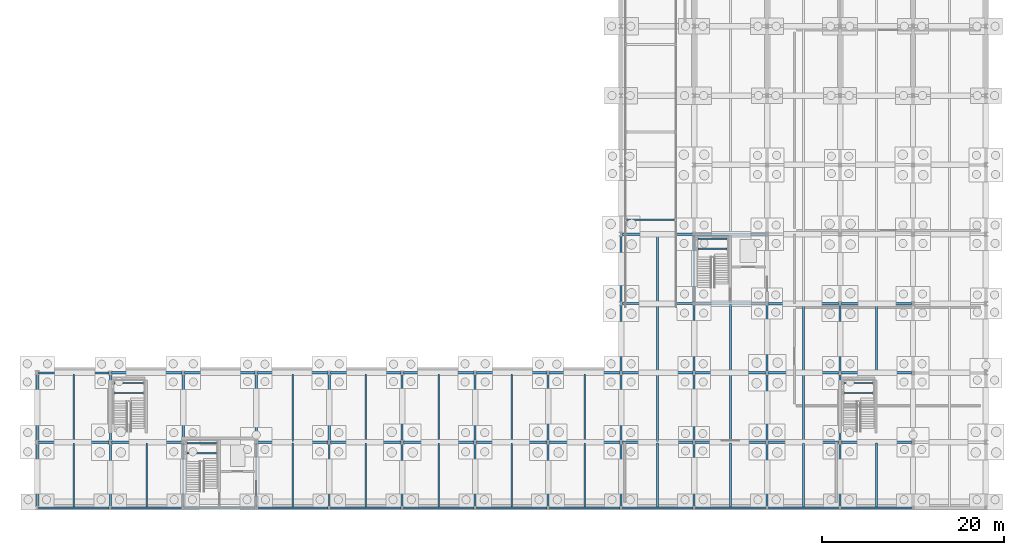
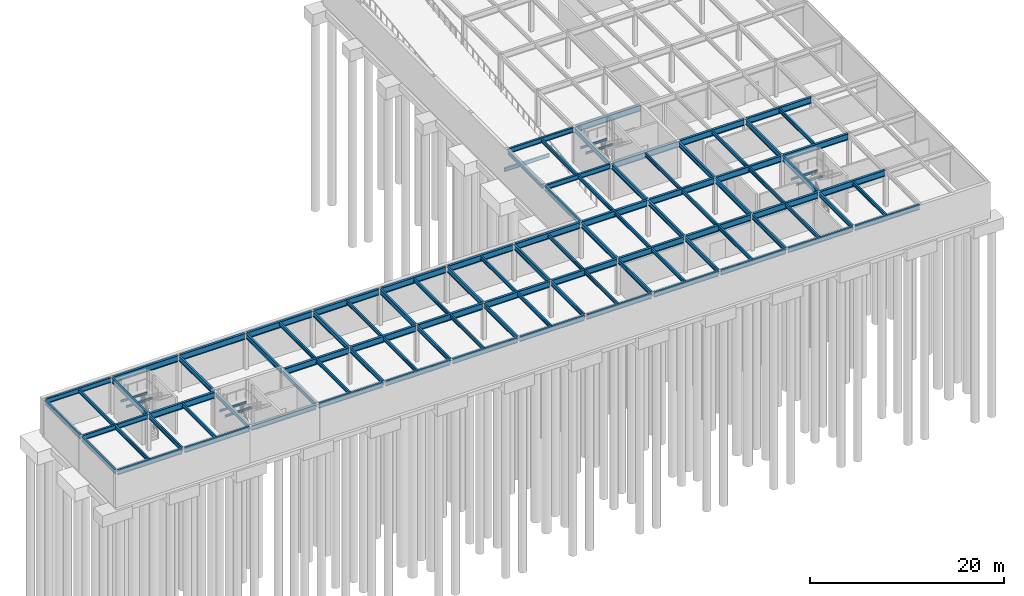
# One storey, part 12 of 21: 105 beams.
"""IFC4 building model written with IfcOpenShell, lengths in metres."""

from ifc_helpers import new_model, si_unit, direction, frame, origin, origin_2d, place, context, subcontext, project, spatial, i_section, extrude, material, material_profile, profile_set, type_object, element, save


model = new_model("IFC4")

# Units and contexts
model_context = context("Model", 3, precision=1e-05, world=origin(), true_north=direction((0.0, 1.0)))
body_context = subcontext(model_context, "Body", "Model", "MODEL_VIEW")
ifc_project = project(units=[si_unit("LENGTHUNIT", "METRE"), si_unit("AREAUNIT", "SQUARE_METRE"), si_unit("VOLUMEUNIT", "CUBIC_METRE"), si_unit("PLANEANGLEUNIT", "RADIAN"), si_unit("MASSUNIT", "GRAM", prefix="KILO")], contexts=[model_context])

# Site, building, storey
site_placement = place(None, origin())
site = spatial("IfcSite", under=ifc_project, at=site_placement, CompositionType="ELEMENT")
building_placement = place(site_placement, origin())
building = spatial("IfcBuilding", under=site, at=building_placement, Name="Zulena Civic Courthouse", CompositionType="ELEMENT")
storey_placement = place(building_placement, frame((0.0, 0.0, -4.800048828125)))
storey = spatial("IfcBuildingStorey", under=building, at=storey_placement, Name="B01", CompositionType="ELEMENT", Elevation=-4.800048828125)

# Beams
ifc_material = material(Name="Steel ASTM A992 Grade 50", Category="steel")
ifc_material_profile_1 = material_profile(ifc_material, i_section(OverallWidth=0.22998046875, OverallDepth=0.616943359375, WebThickness=0.01318359375, FlangeThickness=0.022216796875, FilletRadius=0.0126953125, at=origin_2d()), Name="W24X94")
ifc_profile_set_1 = profile_set([ifc_material_profile_1], Name="Steel ASTM A992 Grade 50")
beam_type_1 = type_object("IfcBeamType", Name="Girder_W24X94", PredefinedType="BEAM", material=ifc_profile_set_1)
for number, where, z_axis, x_axis, name in (
    (1, (12.0, 53.344970703125, 4.271484375), (0.0, 1.0, 0.0), (-1.0, 0.0, 0.0), "beam:Y:V5:B01:12.0:53.2_60.8"),
    (2, (20.0, 53.344970703125, 4.271484375), (0.0, 1.0, 0.0), (-1.0, 0.0, 0.0), "beam:Y:V5:B01:20.0:53.2_60.8"),
    (3, (28.0, 53.344970703125, 4.271484375), (0.0, 1.0, 0.0), (-1.0, 0.0, 0.0), "beam:Y:V5:B01:28.0:53.2_60.8"),
    (4, (36.0, 53.344970703125, 4.271484375), (0.0, 1.0, 0.0), (-1.0, 0.0, 0.0), "beam:Y:V5:B01:36.0:53.2_60.8"),
    (5, (44.0, 53.344970703125, 4.271484375), (0.0, 1.0, 0.0), (-1.0, 0.0, 0.0), "beam:Y:V5:B01:44.0:53.2_60.8"),
    (6, (52.0, 53.344970703125, 4.271484375), (0.0, 1.0, 0.0), (-1.0, 0.0, 0.0), "beam:Y:V5:B01:52.0:53.2_60.8"),
    (7, (60.0, 53.344970703125, 4.271484375), (0.0, 1.0, 0.0), (-1.0, 0.0, 0.0), "beam:Y:V5:B01:60.0:53.2_60.8"),
    (8, (68.0, 53.344970703125, 4.271484375), (0.0, 1.0, 0.0), (-1.0, 0.0, 0.0), "beam:Y:V5:B01:68.0:53.2_60.8"),
    (9, (76.0, 53.344970703125, 4.271484375), (0.0, 1.0, 0.0), (-1.0, 0.0, 0.0), "beam:Y:V5:B01:76.0:53.2_60.8"),
):
    element("IfcBeam", number, at=place(storey_placement, frame(where, z_axis=z_axis, x_axis=x_axis)), inside=storey, type_object=beam_type_1, Name=name, PredefinedType="BEAM", context=body_context, shape_type="SweptSolid", body=[
        extrude(i_section(OverallWidth=0.22998046875, OverallDepth=0.616943359375, WebThickness=0.01318359375, FlangeThickness=0.022216796875, FilletRadius=0.0126953125, at=origin_2d()), origin(), (0.0, 0.0, 1.0), 7.31005859375),
    ])
beam_1_placement = place(storey_placement, frame((76.0, 60.945068359375, 4.271484375), z_axis=(0.0, 1.0, 0.0), x_axis=(-1.0, 0.0, 0.0)))
element("IfcBeam", 10, at=beam_1_placement, inside=storey, type_object=beam_type_1, Name="beam:Y:V5:B01:76.0:60.8_68.4", PredefinedType="BEAM", context=body_context, shape_type="SweptSolid", body=[
    extrude(i_section(OverallWidth=0.22998046875, OverallDepth=0.616943359375, WebThickness=0.01318359375, FlangeThickness=0.022216796875, FilletRadius=0.0126953125, at=origin_2d()), origin(), (0.0, 0.0, 1.0), 7.309814453125),
])
for number, where, z_axis, x_axis, name in (
    (11, (76.0, 68.544921875, 4.2314453125), (0.0, 1.0, 0.0), (-1.0, 0.0, 0.0), "beam:Y:V5:B01:76.0:68.4_76.0"),
    (12, (84.0, 53.344970703125, 4.271484375), (0.0, 1.0, 0.0), (-1.0, 0.0, 0.0), "beam:Y:V5:B01:84.0:53.2_60.8"),
):
    element("IfcBeam", number, at=place(storey_placement, frame(where, z_axis=z_axis, x_axis=x_axis)), inside=storey, type_object=beam_type_1, Name=name, PredefinedType="BEAM", context=body_context, shape_type="SweptSolid", body=[
        extrude(i_section(OverallWidth=0.22998046875, OverallDepth=0.616943359375, WebThickness=0.01318359375, FlangeThickness=0.022216796875, FilletRadius=0.0126953125, at=origin_2d()), origin(), (0.0, 0.0, 1.0), 7.31005859375),
    ])
beam_2_placement = place(storey_placement, frame((84.0, 60.945068359375, 4.271484375), z_axis=(0.0, 1.0, 0.0), x_axis=(-1.0, 0.0, 0.0)))
element("IfcBeam", 13, at=beam_2_placement, inside=storey, type_object=beam_type_1, Name="beam:Y:V5:B01:84.0:60.8_68.4", PredefinedType="BEAM", context=body_context, shape_type="SweptSolid", body=[
    extrude(i_section(OverallWidth=0.22998046875, OverallDepth=0.616943359375, WebThickness=0.01318359375, FlangeThickness=0.022216796875, FilletRadius=0.0126953125, at=origin_2d()), origin(), (0.0, 0.0, 1.0), 7.309814453125),
])
beam_3_placement = place(storey_placement, frame((92.0, 53.344970703125, 4.271484375), z_axis=(0.0, 1.0, 0.0), x_axis=(-1.0, 0.0, 0.0)))
element("IfcBeam", 14, at=beam_3_placement, inside=storey, type_object=beam_type_1, Name="beam:Y:V5:B01:92.0:53.2_60.8", PredefinedType="BEAM", context=body_context, shape_type="SweptSolid", body=[
    extrude(i_section(OverallWidth=0.22998046875, OverallDepth=0.616943359375, WebThickness=0.01318359375, FlangeThickness=0.022216796875, FilletRadius=0.0126953125, at=origin_2d()), origin(), (0.0, 0.0, 1.0), 7.31005859375),
])
beam_4_placement = place(storey_placement, frame((92.0, 60.945068359375, 4.271484375), z_axis=(0.0, 1.0, 0.0), x_axis=(-1.0, 0.0, 0.0)))
element("IfcBeam", 15, at=beam_4_placement, inside=storey, type_object=beam_type_1, Name="beam:Y:V5:B01:92.0:60.8_68.4", PredefinedType="BEAM", context=body_context, shape_type="SweptSolid", body=[
    extrude(i_section(OverallWidth=0.22998046875, OverallDepth=0.616943359375, WebThickness=0.01318359375, FlangeThickness=0.022216796875, FilletRadius=0.0126953125, at=origin_2d()), origin(), (0.0, 0.0, 1.0), 7.309814453125),
])
ifc_material_profile_2 = material_profile(ifc_material, i_section(OverallWidth=0.26611328125, OverallDepth=0.779052734375, WebThickness=0.0166015625, FlangeThickness=0.030029296875, FilletRadius=0.0166015625, at=origin_2d()), Name="W30X148")
ifc_profile_set_2 = profile_set([ifc_material_profile_2], Name="Steel ASTM A992 Grade 50")
beam_type_2 = type_object("IfcBeamType", Name="Girder_W30X148", PredefinedType="BEAM", material=ifc_profile_set_2)
for number, where, z_axis, x_axis, name in (
    (16, (12.14501953125, 53.199951171875, 4.1904296875), (1.0, 0.0, 0.0), (0.0, 1.0, 0.0), "beam:X:V5:B01:53.2:12.0_20.0"),
    (17, (28.14501953125, 53.199951171875, 4.1904296875), (1.0, 0.0, 0.0), (0.0, 1.0, 0.0), "beam:X:V5:B01:53.2:28.0_36.0"),
    (18, (36.14501953125, 53.199951171875, 4.1904296875), (1.0, 0.0, 0.0), (0.0, 1.0, 0.0), "beam:X:V5:B01:53.2:36.0_44.0"),
    (19, (44.14501953125, 53.199951171875, 4.1904296875), (1.0, 0.0, 0.0), (0.0, 1.0, 0.0), "beam:X:V5:B01:53.2:44.0_52.0"),
    (20, (52.14501953125, 53.199951171875, 4.1904296875), (1.0, 0.0, 0.0), (0.0, 1.0, 0.0), "beam:X:V5:B01:53.2:52.0_60.0"),
    (21, (60.14501953125, 53.199951171875, 4.1904296875), (1.0, 0.0, 0.0), (0.0, 1.0, 0.0), "beam:X:V5:B01:53.2:60.0_68.0"),
    (22, (68.14501953125, 53.199951171875, 4.1904296875), (1.0, 0.0, 0.0), (0.0, 1.0, 0.0), "beam:X:V5:B01:53.2:68.0_76.0"),
    (23, (76.14501953125, 53.199951171875, 4.1904296875), (1.0, 0.0, 0.0), (0.0, 1.0, 0.0), "beam:X:V5:B01:53.2:76.0_84.0"),
    (24, (84.14501953125, 53.199951171875, 4.1904296875), (1.0, 0.0, 0.0), (0.0, 1.0, 0.0), "beam:X:V5:B01:53.2:84.0_92.0"),
    (25, (92.14501953125, 53.199951171875, 4.1904296875), (1.0, 0.0, 0.0), (0.0, 1.0, 0.0), "beam:X:V5:B01:53.2:92.0_100.0"),
    (26, (12.14501953125, 60.800048828125, 4.1904296875), (1.0, 0.0, 0.0), (0.0, 1.0, 0.0), "beam:X:V5:B01:60.8:12.0_20.0"),
    (27, (20.14501953125, 60.800048828125, 4.1904296875), (1.0, 0.0, 0.0), (0.0, 1.0, 0.0), "beam:X:V5:B01:60.8:20.0_28.0"),
    (28, (28.14501953125, 60.800048828125, 4.1904296875), (1.0, 0.0, 0.0), (0.0, 1.0, 0.0), "beam:X:V5:B01:60.8:28.0_36.0"),
    (29, (36.14501953125, 60.800048828125, 4.1904296875), (1.0, 0.0, 0.0), (0.0, 1.0, 0.0), "beam:X:V5:B01:60.8:36.0_44.0"),
    (30, (44.14501953125, 60.800048828125, 4.1904296875), (1.0, 0.0, 0.0), (0.0, 1.0, 0.0), "beam:X:V5:B01:60.8:44.0_52.0"),
    (31, (52.14501953125, 60.800048828125, 4.1904296875), (1.0, 0.0, 0.0), (0.0, 1.0, 0.0), "beam:X:V5:B01:60.8:52.0_60.0"),
    (32, (60.14501953125, 60.800048828125, 4.1904296875), (1.0, 0.0, 0.0), (0.0, 1.0, 0.0), "beam:X:V5:B01:60.8:60.0_68.0"),
    (33, (68.14501953125, 60.800048828125, 4.1904296875), (1.0, 0.0, 0.0), (0.0, 1.0, 0.0), "beam:X:V5:B01:60.8:68.0_76.0"),
    (34, (76.14501953125, 60.800048828125, 4.1904296875), (1.0, 0.0, 0.0), (0.0, 1.0, 0.0), "beam:X:V5:B01:60.8:76.0_84.0"),
    (35, (84.14501953125, 60.800048828125, 4.1904296875), (1.0, 0.0, 0.0), (0.0, 1.0, 0.0), "beam:X:V5:B01:60.8:84.0_92.0"),
    (36, (92.14501953125, 60.800048828125, 4.1904296875), (1.0, 0.0, 0.0), (0.0, 1.0, 0.0), "beam:X:V5:B01:60.8:92.0_100.0"),
    (37, (76.14501953125, 68.39990234375, 4.1904296875), (1.0, 0.0, 0.0), (0.0, 1.0, 0.0), "beam:X:V5:B01:68.4:76.0_84.0"),
    (38, (84.14501953125, 68.39990234375, 4.1904296875), (1.0, 0.0, 0.0), (0.0, 1.0, 0.0), "beam:X:V5:B01:68.4:84.0_92.0"),
    (39, (92.14501953125, 68.39990234375, 4.1904296875), (1.0, 0.0, 0.0), (0.0, 1.0, 0.0), "beam:X:V5:B01:68.4:92.0_100.0"),
    (40, (76.14501953125, 76.0, 4.1904296875), (1.0, 0.0, 0.0), (0.0, 1.0, 0.0), "beam:X:V5:B01:76.0:76.0_84.0"),
):
    element("IfcBeam", number, at=place(storey_placement, frame(where, z_axis=z_axis, x_axis=x_axis)), inside=storey, type_object=beam_type_2, Name=name, PredefinedType="BEAM", context=body_context, shape_type="SweptSolid", body=[
        extrude(i_section(OverallWidth=0.26611328125, OverallDepth=0.779052734375, WebThickness=0.0166015625, FlangeThickness=0.030029296875, FilletRadius=0.0166015625, at=origin_2d()), origin(), (0.0, 0.0, 1.0), 7.7099609375),
    ])
ifc_material_profile_3 = material_profile(ifc_material, i_section(OverallWidth=0.14599609375, OverallDepth=0.258056640625, WebThickness=0.006103515625, FlangeThickness=0.009033203125, FilletRadius=0.007568359375, at=origin_2d()), Name="W10X22")
ifc_profile_set_3 = profile_set([ifc_material_profile_3], Name="Steel ASTM A992 Grade 50")
beam_type_3 = type_object("IfcBeamType", Name="Joist_W10X22", PredefinedType="JOIST", material=ifc_profile_set_3)
for number, where, z_axis, x_axis, name in (
    (41, (20.419921875, 52.0, 1.990966796875), (1.0, 0.0, 0.0), (0.0, 1.0, 0.0), "beam:lnd:K5A:B01:0"),
    (42, (20.419921875, 53.10009765625, 1.990966796875), (1.0, 0.0, 0.0), (0.0, 1.0, 0.0), "beam:lnd:K5A:B01:1"),
    (43, (76.419921875, 74.39990234375, 1.990966796875), (1.0, 0.0, 0.0), (0.0, 1.0, 0.0), "beam:lnd:K5B:B01:0"),
    (44, (76.419921875, 75.5, 1.990966796875), (1.0, 0.0, 0.0), (0.0, 1.0, 0.0), "beam:lnd:K5B:B01:1"),
    (45, (12.419921875, 58.60009765625, 1.990966796875), (1.0, 0.0, 0.0), (0.0, 1.0, 0.0), "beam:lnd:STB1:B01:0"),
    (46, (12.419921875, 59.699951171875, 1.990966796875), (1.0, 0.0, 0.0), (0.0, 1.0, 0.0), "beam:lnd:STB1:B01:1"),
    (47, (92.419921875, 58.60009765625, 1.990966796875), (1.0, 0.0, 0.0), (0.0, 1.0, 0.0), "beam:lnd:STB2:B01:0"),
    (48, (92.419921875, 59.699951171875, 1.990966796875), (1.0, 0.0, 0.0), (0.0, 1.0, 0.0), "beam:lnd:STB2:B01:1"),
):
    element("IfcBeam", number, at=place(storey_placement, frame(where, z_axis=z_axis, x_axis=x_axis)), inside=storey, type_object=beam_type_3, Name=name, PredefinedType="JOIST", context=body_context, shape_type="SweptSolid", body=[
        extrude(i_section(OverallWidth=0.14599609375, OverallDepth=0.258056640625, WebThickness=0.006103515625, FlangeThickness=0.009033203125, FilletRadius=0.007568359375, at=origin_2d()), origin(), (0.0, 0.0, 1.0), 3.2001953125),
    ])
ifc_material_profile_4 = material_profile(ifc_material, i_section(OverallWidth=0.19091796875, OverallDepth=0.4599609375, WebThickness=0.010009765625, FlangeThickness=0.01611328125, FilletRadius=0.01025390625, at=origin_2d()), Name="W18X55")
ifc_profile_set_4 = profile_set([ifc_material_profile_4], Name="Steel ASTM A992 Grade 50")
beam_type_4 = type_object("IfcBeamType", Name="Joist_W18X55", PredefinedType="JOIST", material=ifc_profile_set_4)
beam_5_placement = place(storey_placement, frame((8.0, 46.10498046875, 4.35009765625), z_axis=(0.0, 1.0, 0.0), x_axis=(-1.0, 0.0, 0.0)))
element("IfcBeam", 49, at=beam_5_placement, inside=storey, type_object=beam_type_4, Name="joist:V5:B01:8.00:46.0_53.2", PredefinedType="JOIST", context=body_context, shape_type="SweptSolid", body=[
    extrude(i_section(OverallWidth=0.19091796875, OverallDepth=0.4599609375, WebThickness=0.010009765625, FlangeThickness=0.01611328125, FilletRadius=0.01025390625, at=origin_2d()), origin(), (0.0, 0.0, 1.0), 6.989990234375),
])
beam_6_placement = place(storey_placement, frame((8.0, 53.304931640625, 4.35009765625), z_axis=(0.0, 1.0, 0.0), x_axis=(-1.0, 0.0, 0.0)))
element("IfcBeam", 50, at=beam_6_placement, inside=storey, type_object=beam_type_4, Name="joist:V5:B01:8.00:53.2_60.8", PredefinedType="JOIST", context=body_context, shape_type="SweptSolid", body=[
    extrude(i_section(OverallWidth=0.19091796875, OverallDepth=0.4599609375, WebThickness=0.010009765625, FlangeThickness=0.01611328125, FilletRadius=0.01025390625, at=origin_2d()), origin(), (0.0, 0.0, 1.0), 7.39013671875),
])
for number, where, z_axis, x_axis, name in (
    (51, (16.0, 46.10498046875, 4.35009765625), (0.0, 1.0, 0.0), (-1.0, 0.0, 0.0), "joist:V5:B01:16.00:46.0_53.2"),
    (52, (32.0, 46.10498046875, 4.35009765625), (0.0, 1.0, 0.0), (-1.0, 0.0, 0.0), "joist:V5:B01:32.00:46.0_53.2"),
):
    element("IfcBeam", number, at=place(storey_placement, frame(where, z_axis=z_axis, x_axis=x_axis)), inside=storey, type_object=beam_type_4, Name=name, PredefinedType="JOIST", context=body_context, shape_type="SweptSolid", body=[
        extrude(i_section(OverallWidth=0.19091796875, OverallDepth=0.4599609375, WebThickness=0.010009765625, FlangeThickness=0.01611328125, FilletRadius=0.01025390625, at=origin_2d()), origin(), (0.0, 0.0, 1.0), 6.989990234375),
    ])
beam_7_placement = place(storey_placement, frame((32.0, 53.304931640625, 4.35009765625), z_axis=(0.0, 1.0, 0.0), x_axis=(-1.0, 0.0, 0.0)))
element("IfcBeam", 53, at=beam_7_placement, inside=storey, type_object=beam_type_4, Name="joist:V5:B01:32.00:53.2_60.8", PredefinedType="JOIST", context=body_context, shape_type="SweptSolid", body=[
    extrude(i_section(OverallWidth=0.19091796875, OverallDepth=0.4599609375, WebThickness=0.010009765625, FlangeThickness=0.01611328125, FilletRadius=0.01025390625, at=origin_2d()), origin(), (0.0, 0.0, 1.0), 7.39013671875),
])
beam_8_placement = place(storey_placement, frame((40.0, 46.10498046875, 4.35009765625), z_axis=(0.0, 1.0, 0.0), x_axis=(-1.0, 0.0, 0.0)))
element("IfcBeam", 54, at=beam_8_placement, inside=storey, type_object=beam_type_4, Name="joist:V5:B01:40.00:46.0_53.2", PredefinedType="JOIST", context=body_context, shape_type="SweptSolid", body=[
    extrude(i_section(OverallWidth=0.19091796875, OverallDepth=0.4599609375, WebThickness=0.010009765625, FlangeThickness=0.01611328125, FilletRadius=0.01025390625, at=origin_2d()), origin(), (0.0, 0.0, 1.0), 6.989990234375),
])
beam_9_placement = place(storey_placement, frame((40.0, 53.304931640625, 4.35009765625), z_axis=(0.0, 1.0, 0.0), x_axis=(-1.0, 0.0, 0.0)))
element("IfcBeam", 55, at=beam_9_placement, inside=storey, type_object=beam_type_4, Name="joist:V5:B01:40.00:53.2_60.8", PredefinedType="JOIST", context=body_context, shape_type="SweptSolid", body=[
    extrude(i_section(OverallWidth=0.19091796875, OverallDepth=0.4599609375, WebThickness=0.010009765625, FlangeThickness=0.01611328125, FilletRadius=0.01025390625, at=origin_2d()), origin(), (0.0, 0.0, 1.0), 7.39013671875),
])
beam_10_placement = place(storey_placement, frame((48.0, 46.10498046875, 4.35009765625), z_axis=(0.0, 1.0, 0.0), x_axis=(-1.0, 0.0, 0.0)))
element("IfcBeam", 56, at=beam_10_placement, inside=storey, type_object=beam_type_4, Name="joist:V5:B01:48.00:46.0_53.2", PredefinedType="JOIST", context=body_context, shape_type="SweptSolid", body=[
    extrude(i_section(OverallWidth=0.19091796875, OverallDepth=0.4599609375, WebThickness=0.010009765625, FlangeThickness=0.01611328125, FilletRadius=0.01025390625, at=origin_2d()), origin(), (0.0, 0.0, 1.0), 6.989990234375),
])
beam_11_placement = place(storey_placement, frame((48.0, 53.304931640625, 4.35009765625), z_axis=(0.0, 1.0, 0.0), x_axis=(-1.0, 0.0, 0.0)))
element("IfcBeam", 57, at=beam_11_placement, inside=storey, type_object=beam_type_4, Name="joist:V5:B01:48.00:53.2_60.8", PredefinedType="JOIST", context=body_context, shape_type="SweptSolid", body=[
    extrude(i_section(OverallWidth=0.19091796875, OverallDepth=0.4599609375, WebThickness=0.010009765625, FlangeThickness=0.01611328125, FilletRadius=0.01025390625, at=origin_2d()), origin(), (0.0, 0.0, 1.0), 7.39013671875),
])
beam_12_placement = place(storey_placement, frame((56.0, 46.10498046875, 4.35009765625), z_axis=(0.0, 1.0, 0.0), x_axis=(-1.0, 0.0, 0.0)))
element("IfcBeam", 58, at=beam_12_placement, inside=storey, type_object=beam_type_4, Name="joist:V5:B01:56.00:46.0_53.2", PredefinedType="JOIST", context=body_context, shape_type="SweptSolid", body=[
    extrude(i_section(OverallWidth=0.19091796875, OverallDepth=0.4599609375, WebThickness=0.010009765625, FlangeThickness=0.01611328125, FilletRadius=0.01025390625, at=origin_2d()), origin(), (0.0, 0.0, 1.0), 6.989990234375),
])
beam_13_placement = place(storey_placement, frame((56.0, 53.304931640625, 4.35009765625), z_axis=(0.0, 1.0, 0.0), x_axis=(-1.0, 0.0, 0.0)))
element("IfcBeam", 59, at=beam_13_placement, inside=storey, type_object=beam_type_4, Name="joist:V5:B01:56.00:53.2_60.8", PredefinedType="JOIST", context=body_context, shape_type="SweptSolid", body=[
    extrude(i_section(OverallWidth=0.19091796875, OverallDepth=0.4599609375, WebThickness=0.010009765625, FlangeThickness=0.01611328125, FilletRadius=0.01025390625, at=origin_2d()), origin(), (0.0, 0.0, 1.0), 7.39013671875),
])
beam_14_placement = place(storey_placement, frame((64.0, 46.10498046875, 4.35009765625), z_axis=(0.0, 1.0, 0.0), x_axis=(-1.0, 0.0, 0.0)))
element("IfcBeam", 60, at=beam_14_placement, inside=storey, type_object=beam_type_4, Name="joist:V5:B01:64.00:46.0_53.2", PredefinedType="JOIST", context=body_context, shape_type="SweptSolid", body=[
    extrude(i_section(OverallWidth=0.19091796875, OverallDepth=0.4599609375, WebThickness=0.010009765625, FlangeThickness=0.01611328125, FilletRadius=0.01025390625, at=origin_2d()), origin(), (0.0, 0.0, 1.0), 6.989990234375),
])
beam_15_placement = place(storey_placement, frame((64.0, 53.304931640625, 4.35009765625), z_axis=(0.0, 1.0, 0.0), x_axis=(-1.0, 0.0, 0.0)))
element("IfcBeam", 61, at=beam_15_placement, inside=storey, type_object=beam_type_4, Name="joist:V5:B01:64.00:53.2_60.8", PredefinedType="JOIST", context=body_context, shape_type="SweptSolid", body=[
    extrude(i_section(OverallWidth=0.19091796875, OverallDepth=0.4599609375, WebThickness=0.010009765625, FlangeThickness=0.01611328125, FilletRadius=0.01025390625, at=origin_2d()), origin(), (0.0, 0.0, 1.0), 7.39013671875),
])
beam_16_placement = place(storey_placement, frame((72.0, 46.10498046875, 4.35009765625), z_axis=(0.0, 1.0, 0.0), x_axis=(-1.0, 0.0, 0.0)))
element("IfcBeam", 62, at=beam_16_placement, inside=storey, type_object=beam_type_4, Name="joist:V5:B01:72.00:46.0_53.2", PredefinedType="JOIST", context=body_context, shape_type="SweptSolid", body=[
    extrude(i_section(OverallWidth=0.19091796875, OverallDepth=0.4599609375, WebThickness=0.010009765625, FlangeThickness=0.01611328125, FilletRadius=0.01025390625, at=origin_2d()), origin(), (0.0, 0.0, 1.0), 6.989990234375),
])
beam_17_placement = place(storey_placement, frame((72.0, 53.304931640625, 4.35009765625), z_axis=(0.0, 1.0, 0.0), x_axis=(-1.0, 0.0, 0.0)))
element("IfcBeam", 63, at=beam_17_placement, inside=storey, type_object=beam_type_4, Name="joist:V5:B01:72.00:53.2_60.8", PredefinedType="JOIST", context=body_context, shape_type="SweptSolid", body=[
    extrude(i_section(OverallWidth=0.19091796875, OverallDepth=0.4599609375, WebThickness=0.010009765625, FlangeThickness=0.01611328125, FilletRadius=0.01025390625, at=origin_2d()), origin(), (0.0, 0.0, 1.0), 7.39013671875),
])
beam_18_placement = place(storey_placement, frame((72.0, 60.905029296875, 4.35009765625), z_axis=(0.0, 1.0, 0.0), x_axis=(-1.0, 0.0, 0.0)))
element("IfcBeam", 64, at=beam_18_placement, inside=storey, type_object=beam_type_4, Name="joist:V5:B01:72.00:60.8_68.4", PredefinedType="JOIST", context=body_context, shape_type="SweptSolid", body=[
    extrude(i_section(OverallWidth=0.19091796875, OverallDepth=0.4599609375, WebThickness=0.010009765625, FlangeThickness=0.01611328125, FilletRadius=0.01025390625, at=origin_2d()), origin(), (0.0, 0.0, 1.0), 7.389892578125),
])
beam_19_placement = place(storey_placement, frame((72.0, 68.5048828125, 4.31005859375), z_axis=(0.0, 1.0, 0.0), x_axis=(-1.0, 0.0, 0.0)))
element("IfcBeam", 65, at=beam_19_placement, inside=storey, type_object=beam_type_4, Name="joist:V5:B01:72.00:68.4_76.0", PredefinedType="JOIST", context=body_context, shape_type="SweptSolid", body=[
    extrude(i_section(OverallWidth=0.19091796875, OverallDepth=0.4599609375, WebThickness=0.010009765625, FlangeThickness=0.01611328125, FilletRadius=0.01025390625, at=origin_2d()), origin(), (0.0, 0.0, 1.0), 7.39013671875),
])
beam_20_placement = place(storey_placement, frame((80.0, 46.10498046875, 4.35009765625), z_axis=(0.0, 1.0, 0.0), x_axis=(-1.0, 0.0, 0.0)))
element("IfcBeam", 66, at=beam_20_placement, inside=storey, type_object=beam_type_4, Name="joist:V5:B01:80.00:46.0_53.2", PredefinedType="JOIST", context=body_context, shape_type="SweptSolid", body=[
    extrude(i_section(OverallWidth=0.19091796875, OverallDepth=0.4599609375, WebThickness=0.010009765625, FlangeThickness=0.01611328125, FilletRadius=0.01025390625, at=origin_2d()), origin(), (0.0, 0.0, 1.0), 6.989990234375),
])
beam_21_placement = place(storey_placement, frame((80.0, 53.304931640625, 4.35009765625), z_axis=(0.0, 1.0, 0.0), x_axis=(-1.0, 0.0, 0.0)))
element("IfcBeam", 67, at=beam_21_placement, inside=storey, type_object=beam_type_4, Name="joist:V5:B01:80.00:53.2_60.8", PredefinedType="JOIST", context=body_context, shape_type="SweptSolid", body=[
    extrude(i_section(OverallWidth=0.19091796875, OverallDepth=0.4599609375, WebThickness=0.010009765625, FlangeThickness=0.01611328125, FilletRadius=0.01025390625, at=origin_2d()), origin(), (0.0, 0.0, 1.0), 7.39013671875),
])
beam_22_placement = place(storey_placement, frame((80.0, 60.905029296875, 4.35009765625), z_axis=(0.0, 1.0, 0.0), x_axis=(-1.0, 0.0, 0.0)))
element("IfcBeam", 68, at=beam_22_placement, inside=storey, type_object=beam_type_4, Name="joist:V5:B01:80.00:60.8_68.4", PredefinedType="JOIST", context=body_context, shape_type="SweptSolid", body=[
    extrude(i_section(OverallWidth=0.19091796875, OverallDepth=0.4599609375, WebThickness=0.010009765625, FlangeThickness=0.01611328125, FilletRadius=0.01025390625, at=origin_2d()), origin(), (0.0, 0.0, 1.0), 7.389892578125),
])
beam_23_placement = place(storey_placement, frame((88.0, 46.10498046875, 4.35009765625), z_axis=(0.0, 1.0, 0.0), x_axis=(-1.0, 0.0, 0.0)))
element("IfcBeam", 69, at=beam_23_placement, inside=storey, type_object=beam_type_4, Name="joist:V5:B01:88.00:46.0_53.2", PredefinedType="JOIST", context=body_context, shape_type="SweptSolid", body=[
    extrude(i_section(OverallWidth=0.19091796875, OverallDepth=0.4599609375, WebThickness=0.010009765625, FlangeThickness=0.01611328125, FilletRadius=0.01025390625, at=origin_2d()), origin(), (0.0, 0.0, 1.0), 6.989990234375),
])
beam_24_placement = place(storey_placement, frame((88.0, 53.304931640625, 4.35009765625), z_axis=(0.0, 1.0, 0.0), x_axis=(-1.0, 0.0, 0.0)))
element("IfcBeam", 70, at=beam_24_placement, inside=storey, type_object=beam_type_4, Name="joist:V5:B01:88.00:53.2_60.8", PredefinedType="JOIST", context=body_context, shape_type="SweptSolid", body=[
    extrude(i_section(OverallWidth=0.19091796875, OverallDepth=0.4599609375, WebThickness=0.010009765625, FlangeThickness=0.01611328125, FilletRadius=0.01025390625, at=origin_2d()), origin(), (0.0, 0.0, 1.0), 7.39013671875),
])
beam_25_placement = place(storey_placement, frame((88.0, 60.905029296875, 4.35009765625), z_axis=(0.0, 1.0, 0.0), x_axis=(-1.0, 0.0, 0.0)))
element("IfcBeam", 71, at=beam_25_placement, inside=storey, type_object=beam_type_4, Name="joist:V5:B01:88.00:60.8_68.4", PredefinedType="JOIST", context=body_context, shape_type="SweptSolid", body=[
    extrude(i_section(OverallWidth=0.19091796875, OverallDepth=0.4599609375, WebThickness=0.010009765625, FlangeThickness=0.01611328125, FilletRadius=0.01025390625, at=origin_2d()), origin(), (0.0, 0.0, 1.0), 7.389892578125),
])
beam_26_placement = place(storey_placement, frame((96.0, 46.10498046875, 4.35009765625), z_axis=(0.0, 1.0, 0.0), x_axis=(-1.0, 0.0, 0.0)))
element("IfcBeam", 72, at=beam_26_placement, inside=storey, type_object=beam_type_4, Name="joist:V5:B01:96.00:46.0_53.2", PredefinedType="JOIST", context=body_context, shape_type="SweptSolid", body=[
    extrude(i_section(OverallWidth=0.19091796875, OverallDepth=0.4599609375, WebThickness=0.010009765625, FlangeThickness=0.01611328125, FilletRadius=0.01025390625, at=origin_2d()), origin(), (0.0, 0.0, 1.0), 6.989990234375),
])
beam_27_placement = place(storey_placement, frame((96.0, 60.905029296875, 4.35009765625), z_axis=(0.0, 1.0, 0.0), x_axis=(-1.0, 0.0, 0.0)))
element("IfcBeam", 73, at=beam_27_placement, inside=storey, type_object=beam_type_4, Name="joist:V5:B01:96.00:60.8_68.4", PredefinedType="JOIST", context=body_context, shape_type="SweptSolid", body=[
    extrude(i_section(OverallWidth=0.19091796875, OverallDepth=0.4599609375, WebThickness=0.010009765625, FlangeThickness=0.01611328125, FilletRadius=0.01025390625, at=origin_2d()), origin(), (0.0, 0.0, 1.0), 7.389892578125),
])
ifc_material_profile_5 = material_profile(ifc_material, i_section(OverallWidth=0.19091796875, OverallDepth=0.4599609375, WebThickness=0.010009765625, FlangeThickness=0.01611328125, FilletRadius=0.01025390625, at=origin_2d()), Name="W18X55")
ifc_profile_set_5 = profile_set([ifc_material_profile_5], Name="Steel ASTM A992 Grade 50")
beam_type_5 = type_object("IfcBeamType", Name="Spandrel_W18X55", PredefinedType="SPANDREL", material=ifc_profile_set_5)
beam_28_placement = place(storey_placement, frame((68.550048828125, 77.60009765625, 0.715087890625), z_axis=(1.0, 0.0, 0.0), x_axis=(0.0, 1.0, 0.0)))
element("IfcBeam", 74, at=beam_28_placement, inside=storey, type_object=beam_type_5, Name="beam:vramp:B01:0", PredefinedType="SPANDREL", context=body_context, shape_type="SweptSolid", body=[
    extrude(i_section(OverallWidth=0.19091796875, OverallDepth=0.4599609375, WebThickness=0.010009765625, FlangeThickness=0.01611328125, FilletRadius=0.01025390625, at=origin_2d()), origin(), (0.0, 0.0, 1.0), 5.39990234375),
])
ifc_material_profile_6 = material_profile(ifc_material, i_section(OverallWidth=0.2099609375, OverallDepth=0.537109375, WebThickness=0.010986328125, FlangeThickness=0.017333984375, FilletRadius=0.0126953125, at=origin_2d()), Name="W21X68")
ifc_profile_set_6 = profile_set([ifc_material_profile_6], Name="Steel ASTM A992 Grade 50")
beam_type_6 = type_object("IfcBeamType", Name="Spandrel_W21X68", PredefinedType="SPANDREL", material=ifc_profile_set_6)
beam_29_placement = place(storey_placement, frame((4.0, 46.14501953125, 4.3115234375), z_axis=(0.0, 1.0, 0.0), x_axis=(-1.0, 0.0, 0.0)))
element("IfcBeam", 75, at=beam_29_placement, inside=storey, type_object=beam_type_6, Name="beam:Y:V5:B01:4.0:46.0_53.2", PredefinedType="SPANDREL", context=body_context, shape_type="SweptSolid", body=[
    extrude(i_section(OverallWidth=0.2099609375, OverallDepth=0.537109375, WebThickness=0.010986328125, FlangeThickness=0.017333984375, FilletRadius=0.0126953125, at=origin_2d()), origin(), (0.0, 0.0, 1.0), 6.909912109375),
])
beam_30_placement = place(storey_placement, frame((4.0, 53.344970703125, 4.3115234375), z_axis=(0.0, 1.0, 0.0), x_axis=(-1.0, 0.0, 0.0)))
element("IfcBeam", 76, at=beam_30_placement, inside=storey, type_object=beam_type_6, Name="beam:Y:V5:B01:4.0:53.2_60.8", PredefinedType="SPANDREL", context=body_context, shape_type="SweptSolid", body=[
    extrude(i_section(OverallWidth=0.2099609375, OverallDepth=0.537109375, WebThickness=0.010986328125, FlangeThickness=0.017333984375, FilletRadius=0.0126953125, at=origin_2d()), origin(), (0.0, 0.0, 1.0), 7.31005859375),
])
for number, where, z_axis, x_axis, name in (
    (77, (12.0, 46.14501953125, 4.3115234375), (0.0, 1.0, 0.0), (-1.0, 0.0, 0.0), "beam:Y:V5:B01:12.0:46.0_53.2"),
    (78, (20.0, 46.14501953125, 4.3115234375), (0.0, 1.0, 0.0), (-1.0, 0.0, 0.0), "beam:Y:V5:B01:20.0:46.0_53.2"),
    (79, (28.0, 46.14501953125, 4.3115234375), (0.0, 1.0, 0.0), (-1.0, 0.0, 0.0), "beam:Y:V5:B01:28.0:46.0_53.2"),
    (80, (36.0, 46.14501953125, 4.3115234375), (0.0, 1.0, 0.0), (-1.0, 0.0, 0.0), "beam:Y:V5:B01:36.0:46.0_53.2"),
    (81, (44.0, 46.14501953125, 4.3115234375), (0.0, 1.0, 0.0), (-1.0, 0.0, 0.0), "beam:Y:V5:B01:44.0:46.0_53.2"),
    (82, (52.0, 46.14501953125, 4.3115234375), (0.0, 1.0, 0.0), (-1.0, 0.0, 0.0), "beam:Y:V5:B01:52.0:46.0_53.2"),
    (83, (60.0, 46.14501953125, 4.3115234375), (0.0, 1.0, 0.0), (-1.0, 0.0, 0.0), "beam:Y:V5:B01:60.0:46.0_53.2"),
    (84, (68.0, 46.14501953125, 4.3115234375), (0.0, 1.0, 0.0), (-1.0, 0.0, 0.0), "beam:Y:V5:B01:68.0:46.0_53.2"),
):
    element("IfcBeam", number, at=place(storey_placement, frame(where, z_axis=z_axis, x_axis=x_axis)), inside=storey, type_object=beam_type_6, Name=name, PredefinedType="SPANDREL", context=body_context, shape_type="SweptSolid", body=[
        extrude(i_section(OverallWidth=0.2099609375, OverallDepth=0.537109375, WebThickness=0.010986328125, FlangeThickness=0.017333984375, FilletRadius=0.0126953125, at=origin_2d()), origin(), (0.0, 0.0, 1.0), 6.909912109375),
    ])
beam_31_placement = place(storey_placement, frame((68.0, 60.945068359375, 4.3115234375), z_axis=(0.0, 1.0, 0.0), x_axis=(-1.0, 0.0, 0.0)))
element("IfcBeam", 85, at=beam_31_placement, inside=storey, type_object=beam_type_6, Name="beam:Y:V5:B01:68.0:60.8_68.4", PredefinedType="SPANDREL", context=body_context, shape_type="SweptSolid", body=[
    extrude(i_section(OverallWidth=0.2099609375, OverallDepth=0.537109375, WebThickness=0.010986328125, FlangeThickness=0.017333984375, FilletRadius=0.0126953125, at=origin_2d()), origin(), (0.0, 0.0, 1.0), 7.309814453125),
])
beam_32_placement = place(storey_placement, frame((68.0, 68.544921875, 4.271484375), z_axis=(0.0, 1.0, 0.0), x_axis=(-1.0, 0.0, 0.0)))
element("IfcBeam", 86, at=beam_32_placement, inside=storey, type_object=beam_type_6, Name="beam:Y:V5:B01:68.0:68.4_76.0", PredefinedType="SPANDREL", context=body_context, shape_type="SweptSolid", body=[
    extrude(i_section(OverallWidth=0.2099609375, OverallDepth=0.537109375, WebThickness=0.010986328125, FlangeThickness=0.017333984375, FilletRadius=0.0126953125, at=origin_2d()), origin(), (0.0, 0.0, 1.0), 7.31005859375),
])
for number, where, z_axis, x_axis, name in (
    (87, (76.0, 46.14501953125, 4.3115234375), (0.0, 1.0, 0.0), (-1.0, 0.0, 0.0), "beam:Y:V5:B01:76.0:46.0_53.2"),
    (88, (84.0, 46.14501953125, 4.3115234375), (0.0, 1.0, 0.0), (-1.0, 0.0, 0.0), "beam:Y:V5:B01:84.0:46.0_53.2"),
    (89, (92.0, 46.14501953125, 4.3115234375), (0.0, 1.0, 0.0), (-1.0, 0.0, 0.0), "beam:Y:V5:B01:92.0:46.0_53.2"),
):
    element("IfcBeam", number, at=place(storey_placement, frame(where, z_axis=z_axis, x_axis=x_axis)), inside=storey, type_object=beam_type_6, Name=name, PredefinedType="SPANDREL", context=body_context, shape_type="SweptSolid", body=[
        extrude(i_section(OverallWidth=0.2099609375, OverallDepth=0.537109375, WebThickness=0.010986328125, FlangeThickness=0.017333984375, FilletRadius=0.0126953125, at=origin_2d()), origin(), (0.0, 0.0, 1.0), 6.909912109375),
    ])
ifc_material_profile_7 = material_profile(ifc_material, i_section(OverallWidth=0.22998046875, OverallDepth=0.616943359375, WebThickness=0.01318359375, FlangeThickness=0.022216796875, FilletRadius=0.0126953125, at=origin_2d()), Name="W24X94")
ifc_profile_set_7 = profile_set([ifc_material_profile_7], Name="Steel ASTM A992 Grade 50")
beam_type_7 = type_object("IfcBeamType", Name="Spandrel_W24X94", PredefinedType="SPANDREL", material=ifc_profile_set_7)
for number, where, z_axis, x_axis, name in (
    (90, (4.14501953125, 46.0, 4.271484375), (1.0, 0.0, 0.0), (0.0, 1.0, 0.0), "beam:X:V5:B01:46.0:4.0_12.0"),
    (91, (12.14501953125, 46.0, 4.271484375), (1.0, 0.0, 0.0), (0.0, 1.0, 0.0), "beam:X:V5:B01:46.0:12.0_20.0"),
    (92, (20.14501953125, 46.0, 4.271484375), (1.0, 0.0, 0.0), (0.0, 1.0, 0.0), "beam:X:V5:B01:46.0:20.0_28.0"),
    (93, (28.14501953125, 46.0, 4.271484375), (1.0, 0.0, 0.0), (0.0, 1.0, 0.0), "beam:X:V5:B01:46.0:28.0_36.0"),
    (94, (36.14501953125, 46.0, 4.271484375), (1.0, 0.0, 0.0), (0.0, 1.0, 0.0), "beam:X:V5:B01:46.0:36.0_44.0"),
    (95, (44.14501953125, 46.0, 4.271484375), (1.0, 0.0, 0.0), (0.0, 1.0, 0.0), "beam:X:V5:B01:46.0:44.0_52.0"),
    (96, (52.14501953125, 46.0, 4.271484375), (1.0, 0.0, 0.0), (0.0, 1.0, 0.0), "beam:X:V5:B01:46.0:52.0_60.0"),
    (97, (60.14501953125, 46.0, 4.271484375), (1.0, 0.0, 0.0), (0.0, 1.0, 0.0), "beam:X:V5:B01:46.0:60.0_68.0"),
    (98, (68.14501953125, 46.0, 4.271484375), (1.0, 0.0, 0.0), (0.0, 1.0, 0.0), "beam:X:V5:B01:46.0:68.0_76.0"),
    (99, (76.14501953125, 46.0, 4.271484375), (1.0, 0.0, 0.0), (0.0, 1.0, 0.0), "beam:X:V5:B01:46.0:76.0_84.0"),
    (100, (84.14501953125, 46.0, 4.271484375), (1.0, 0.0, 0.0), (0.0, 1.0, 0.0), "beam:X:V5:B01:46.0:84.0_92.0"),
    (101, (92.14501953125, 46.0, 4.271484375), (1.0, 0.0, 0.0), (0.0, 1.0, 0.0), "beam:X:V5:B01:46.0:92.0_100.0"),
    (102, (4.14501953125, 53.199951171875, 4.271484375), (1.0, 0.0, 0.0), (0.0, 1.0, 0.0), "beam:X:V5:B01:53.2:4.0_12.0"),
    (103, (4.14501953125, 60.800048828125, 4.271484375), (1.0, 0.0, 0.0), (0.0, 1.0, 0.0), "beam:X:V5:B01:60.8:4.0_12.0"),
    (104, (68.14501953125, 68.39990234375, 4.2314453125), (1.0, 0.0, 0.0), (0.0, 1.0, 0.0), "beam:X:V5:B01:68.4:68.0_76.0"),
    (105, (68.14501953125, 76.0, 4.2314453125), (1.0, 0.0, 0.0), (0.0, 1.0, 0.0), "beam:X:V5:B01:76.0:68.0_76.0"),
):
    element("IfcBeam", number, at=place(storey_placement, frame(where, z_axis=z_axis, x_axis=x_axis)), inside=storey, type_object=beam_type_7, Name=name, PredefinedType="SPANDREL", context=body_context, shape_type="SweptSolid", body=[
        extrude(i_section(OverallWidth=0.22998046875, OverallDepth=0.616943359375, WebThickness=0.01318359375, FlangeThickness=0.022216796875, FilletRadius=0.0126953125, at=origin_2d()), origin(), (0.0, 0.0, 1.0), 7.7099609375),
    ])

save(model, "model.ifc")
